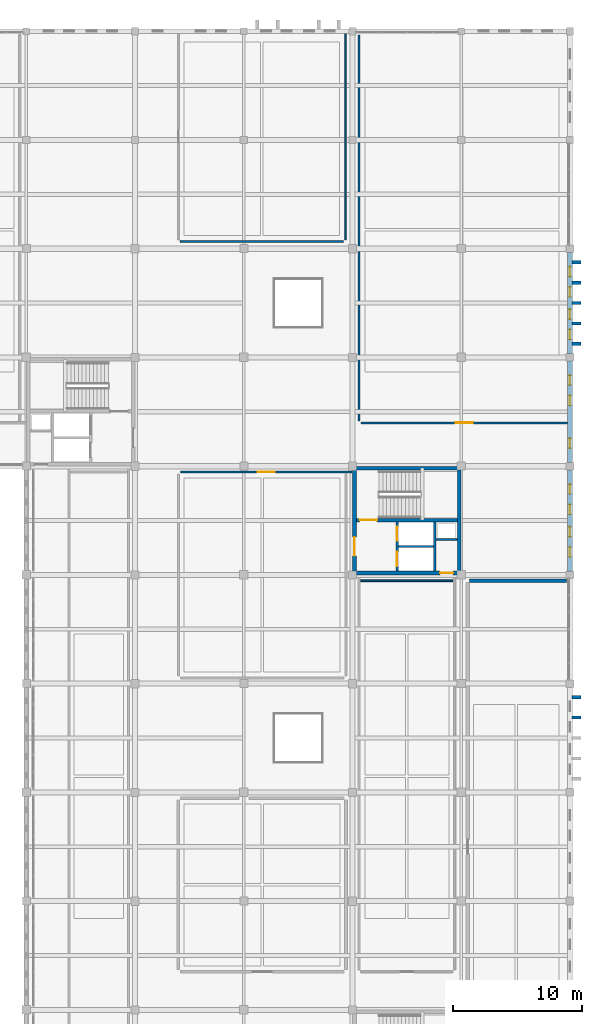
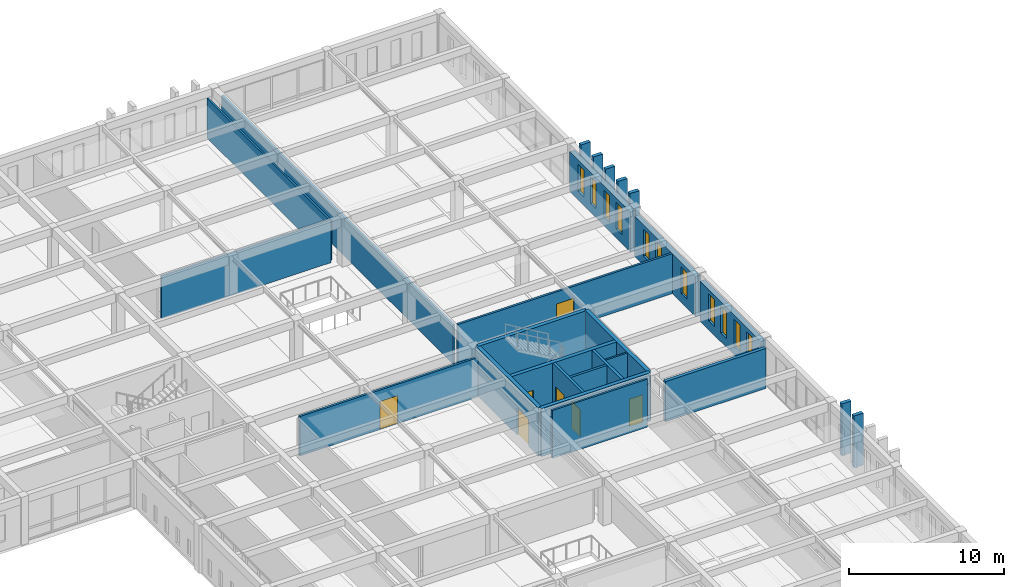
# One storey, part 38 of 47: 26 walls, 11 windows, 7 doors, 18 openings.
"""IFC4 building model written with IfcOpenShell, lengths in metres."""

import ifcopenshell
import ifcopenshell.guid

model = None  # the IFC model being written
_history = None  # IfcOwnerHistory: only IFC2X3 demands one
_inside = {}  # id of a spatial element -> (the spatial element, [elements in it])
_under = {}  # id of a project, library or spatial element -> (it, [spatial elements below it])
_declared = {}  # id of a project -> (the project, [libraries it declares])
_typed = {}  # id of a type object -> (the type object, [elements of that type])
_made_of = {}  # id of a material, layer set ... -> (it, [elements and type objects made of it])


def new_model(schema):
    """Start an empty IFC model of exactly this schema.

    Asked for "IFC4X3", IfcOpenShell would pick the latest addendum, in which some entities
    have other attributes; the version numbers below select the first issue.
    IFC2X3 requires an IfcOwnerHistory on every rooted entity: one is made here for all.
    """
    global model, _history
    if schema == "IFC4X3":
        model = ifcopenshell.file(schema_version=(4, 3, 0, 0))
    else:
        model = ifcopenshell.file(schema=schema)
    _inside.clear()
    _under.clear()
    _declared.clear()
    _typed.clear()
    _made_of.clear()
    _history = None
    if model.schema == "IFC2X3":
        org = make("IfcOrganization", Name="unknown")
        user = make(
            "IfcPersonAndOrganization",
            ThePerson=make("IfcPerson", FamilyName="unknown"),
            TheOrganization=org,
        )
        app = make(
            "IfcApplication",
            ApplicationDeveloper=org,
            Version="unknown",
            ApplicationFullName="unknown",
            ApplicationIdentifier="unknown",
        )
        _history = make(
            "IfcOwnerHistory",
            OwningUser=user,
            OwningApplication=app,
            ChangeAction="ADDED",
            CreationDate=0,
        )
    return model


def make(cls, **values):
    """One entity of the class cls with the attributes given. An attribute that is None is left unset."""
    return model.create_entity(
        cls, **{name: value for name, value in values.items() if value is not None}
    )


def rooted(cls, **values):
    """An entity with a GlobalId (a new one), such as an element, a storey or a relation."""
    return make(cls, GlobalId=ifcopenshell.guid.new(), OwnerHistory=_history, **values)


def si_unit(unit_type, name, prefix=None):
    """IfcSIUnit, for example si_unit("LENGTHUNIT", "METRE", prefix="MILLI")."""
    return make("IfcSIUnit", UnitType=unit_type, Prefix=prefix, Name=name)


def assignment(units):
    """IfcUnitAssignment: the units of a project."""
    return None if units is None else make("IfcUnitAssignment", Units=units)


def point(xyz):
    """IfcCartesianPoint."""
    return None if xyz is None else make("IfcCartesianPoint", Coordinates=xyz)


def direction(xyz):
    """IfcDirection."""
    return None if xyz is None else make("IfcDirection", DirectionRatios=xyz)


def frame(location, z_axis=None, x_axis=None):
    """IfcAxis2Placement3D, a coordinate frame: its origin and axes. An axis left out is left unset."""
    return make(
        "IfcAxis2Placement3D",
        Location=point(location),
        Axis=direction(z_axis),
        RefDirection=direction(x_axis),
    )


def frame_2d(location, x_axis=None):
    """IfcAxis2Placement2D, a coordinate frame in the plane: its origin and x axis."""
    return make(
        "IfcAxis2Placement2D", Location=point(location), RefDirection=direction(x_axis)
    )


def origin():
    """The frame at (0, 0, 0) with its axes left unset."""
    return frame((0.0, 0.0, 0.0))


def place(relative_to, where):
    """IfcLocalPlacement: puts the frame where relative to a parent placement (None: the world)."""
    return make(
        "IfcLocalPlacement", PlacementRelTo=relative_to, RelativePlacement=where
    )


def context(
    kind, dimensions, precision=None, world=None, true_north=None, identifier=None
):
    """IfcGeometricRepresentationContext, for example the 3D "Model" context."""
    return make(
        "IfcGeometricRepresentationContext",
        ContextIdentifier=identifier,
        ContextType=kind,
        CoordinateSpaceDimension=dimensions,
        Precision=precision,
        WorldCoordinateSystem=world,
        TrueNorth=true_north,
    )


def subcontext(parent, identifier, kind, view, scale=None):
    """IfcGeometricRepresentationSubContext, for example "Body" below "Model"."""
    return make(
        "IfcGeometricRepresentationSubContext",
        ContextIdentifier=identifier,
        ContextType=kind,
        ParentContext=parent,
        TargetScale=scale,
        TargetView=view,
    )


def project(units=None, contexts=None):
    """IfcProject with its units and contexts."""
    return rooted(
        "IfcProject",
        Name="project",
        RepresentationContexts=contexts,
        UnitsInContext=assignment(units),
    )


def spatial(cls, under=None, at=None, **own):
    """A site, building, storey or space (cls), placed at a placement, below another one or the project."""
    s = rooted(cls, ObjectPlacement=at, **own)
    if under is not None:
        _under.setdefault(under.id(), (under, []))[1].append(s)
    return s


def profile(cls, at=None, kind="AREA", **sizes):
    """A parametric profile (cls). Its sizes go by their IFC names, for example OverallWidth=200.0."""
    return make(cls, ProfileType=kind, Position=at, **sizes)


def rectangle(**sizes):
    """IfcRectangleProfileDef."""
    return profile("IfcRectangleProfileDef", **sizes)


def extrude(swept, where, along, depth):
    """IfcExtrudedAreaSolid: the profile swept, set in the frame where, extruded along a direction by depth."""
    return make(
        "IfcExtrudedAreaSolid",
        SweptArea=swept,
        Position=where,
        ExtrudedDirection=direction(along),
        Depth=depth,
    )


def shape(context_of_items, identifier, shape_type, items):
    """IfcShapeRepresentation: the items that make up one representation, for example the "Body"."""
    return make(
        "IfcShapeRepresentation",
        ContextOfItems=context_of_items,
        RepresentationIdentifier=identifier,
        RepresentationType=shape_type,
        Items=items,
    )


def material(Name=None, Category=None):
    """IfcMaterial."""
    return make("IfcMaterial", Name=Name, Category=Category)


def layer(
    of_material, thickness, ventilated=None, Name=None, Category=None, Priority=None
):
    """IfcMaterialLayer: one layer of a wall or slab, of a material (None: an air gap)."""
    return make(
        "IfcMaterialLayer",
        Material=of_material,
        LayerThickness=thickness,
        IsVentilated=ventilated,
        Name=Name,
        Category=Category,
        Priority=Priority,
    )


def layer_set(layers, Name=None):
    """IfcMaterialLayerSet."""
    return make("IfcMaterialLayerSet", MaterialLayers=layers, LayerSetName=Name)


def made_of(thing, what):
    """Note that an element or type object is made of a material, layer set ...; save() writes the relation."""
    if what is not None:
        _made_of.setdefault(what.id(), (what, []))[1].append(thing)
    return thing


def type_object(cls, material=None, **own):
    """A type object (cls), such as IfcWallType, which elements share."""
    return made_of(rooted(cls, **own), material)


def element(
    cls,
    number,
    at=None,
    inside=None,
    cuts=None,
    type_object=None,
    material=None,
    context=None,
    identifier="Body",
    shape_type=None,
    held_by="IfcProductDefinitionShape",
    body=None,
    shapes=None,
    **own,
):
    """One element of the class cls, such as IfcWall. Its Tag is "e" and its number.

    at: its placement. inside: the storey or other place that contains it. cuts: it is an
    opening in that element (IfcRelVoidsElement). A single representation is given by context,
    identifier, shape_type and body (its items); several are given by shapes. held_by: the class
    of the entity that holds the representations. save() writes the other relations.
    """
    e = rooted(cls, Tag="e%d" % number, ObjectPlacement=at, **own)
    if body is not None:
        shapes = [shape(context, identifier, shape_type, body)]
    if shapes is not None:
        e.Representation = make(held_by, Representations=shapes)
    if inside is not None:
        _inside.setdefault(inside.id(), (inside, []))[1].append(e)
    if cuts is not None:
        rooted(
            "IfcRelVoidsElement", RelatingBuildingElement=cuts, RelatedOpeningElement=e
        )
    if type_object is not None:
        _typed.setdefault(type_object.id(), (type_object, []))[1].append(e)
    return made_of(e, material)


def fill(opening, filler):
    """IfcRelFillsElement: the door or window that sits in an opening."""
    return rooted(
        "IfcRelFillsElement",
        RelatingOpeningElement=opening,
        RelatedBuildingElement=filler,
    )


def aggregate(whole, parts):
    """IfcRelAggregates: a whole, such as a stair, and the parts it consists of."""
    return rooted("IfcRelAggregates", RelatingObject=whole, RelatedObjects=parts)


def save(model, path):
    """Write the relations noted so far, then the file.

    IfcRelAggregates (storeys below a building ...), IfcRelContainedInSpatialStructure (elements
    in a storey), IfcRelDefinesByType, IfcRelAssociatesMaterial and IfcRelDeclares: one each for
    every whole, place, type object, material and project.
    """
    for whole, parts in _under.values():
        aggregate(whole, parts)
    for where, things in _inside.values():
        rooted(
            "IfcRelContainedInSpatialStructure",
            RelatedElements=things,
            RelatingStructure=where,
        )
    for kind, things in _typed.values():
        rooted("IfcRelDefinesByType", RelatedObjects=things, RelatingType=kind)
    for what, things in _made_of.values():
        rooted("IfcRelAssociatesMaterial", RelatedObjects=things, RelatingMaterial=what)
    for by, libraries in _declared.values():
        rooted("IfcRelDeclares", RelatingContext=by, RelatedDefinitions=libraries)
    model.write(path)


model = new_model("IFC4")

# Units and contexts
model_context = context("Model", 3, precision=1e-05, world=origin(), true_north=direction((0.0, 1.0)))
body_context = subcontext(model_context, "Body", "Model", "MODEL_VIEW")
ifc_project = project(units=[si_unit("LENGTHUNIT", "METRE"), si_unit("AREAUNIT", "SQUARE_METRE"), si_unit("VOLUMEUNIT", "CUBIC_METRE"), si_unit("PLANEANGLEUNIT", "RADIAN"), si_unit("MASSUNIT", "GRAM", prefix="KILO")], contexts=[model_context])

# Site, building, storey
site_placement = place(None, origin())
site = spatial("IfcSite", under=ifc_project, at=site_placement, CompositionType="ELEMENT")
building_placement = place(site_placement, origin())
building = spatial("IfcBuilding", under=site, at=building_placement, Name="Kveldsbrygga Polytechnic", CompositionType="ELEMENT")
storey_placement = place(building_placement, frame((0.0, 0.0, 13.93994140625)))
storey = spatial("IfcBuildingStorey", under=building, at=storey_placement, Name="L03", CompositionType="ELEMENT", Elevation=13.93994140625)

# Wall, openings, windows
ifc_material_1 = material(Name="Fired clay brick masonry M10", Category="masonry")
ifc_layer_1 = layer(ifc_material_1, 0.360107421875)
ifc_layer_set_1 = layer_set([ifc_layer_1], Name="Fired clay brick masonry M10")
wall_type_1 = type_object("IfcWallType", Name="EW-BRICK-360", PredefinedType="SOLIDWALL", material=ifc_layer_set_1)
wall_1_placement = place(storey_placement, frame((168.0, 75.875, 0.0), z_axis=(0.0, 0.0, 1.0), x_axis=(0.0, 1.0, 0.0)))
wall_1 = element("IfcWall", 1, at=wall_1_placement, inside=storey, type_object=wall_type_1, Name="Exterior Brick Wall EW-L03-Y-20-09", PredefinedType="SOLIDWALL", context=body_context, shape_type="SweptSolid", body=[
    extrude(rectangle(XDim=7.840087890625, YDim=0.360107421875, at=frame_2d((3.919921875, 0.0))), origin(), (0.0, 0.0, 1.0), 3.150146484375),
])
opening_1_placement = place(wall_1_placement, frame((1.114501953125, 0.0, 0.699951171875)))
opening_1 = element("IfcOpeningElement", 2, at=opening_1_placement, cuts=wall_1, Name="Opening W-27", PredefinedType="OPENING", context=body_context, shape_type="SweptSolid", body=[
    extrude(rectangle(XDim=0.75, YDim=2.10009765625, at=frame_2d((0.375, 1.050048828125))), frame((0.0, 0.18994140625, 0.0), z_axis=(0.0, -1.0, 0.0), x_axis=(1.0, 0.0, 0.0)), (0.0, 0.0, 1.0), 0.380126953125),
])
opening_2_placement = place(wall_1_placement, frame((2.6826171875, 0.0, 0.699951171875)))
opening_2 = element("IfcOpeningElement", 3, at=opening_2_placement, cuts=wall_1, Name="Opening W-27", PredefinedType="OPENING", context=body_context, shape_type="SweptSolid", body=[
    extrude(rectangle(XDim=0.75, YDim=2.10009765625, at=frame_2d((0.375, 1.050048828125))), frame((0.0, 0.18994140625, 0.0), z_axis=(0.0, -1.0, 0.0), x_axis=(1.0, 0.0, 0.0)), (0.0, 0.0, 1.0), 0.380126953125),
])
opening_3_placement = place(wall_1_placement, frame((4.407470703125, 0.0, 0.699951171875)))
opening_3 = element("IfcOpeningElement", 4, at=opening_3_placement, cuts=wall_1, Name="Opening W-27", PredefinedType="OPENING", context=body_context, shape_type="SweptSolid", body=[
    extrude(rectangle(XDim=0.75, YDim=2.10009765625, at=frame_2d((0.375, 1.050048828125))), frame((0.0, 0.18994140625, 0.0), z_axis=(0.0, -1.0, 0.0), x_axis=(1.0, 0.0, 0.0)), (0.0, 0.0, 1.0), 0.380126953125),
])
opening_4_placement = place(wall_1_placement, frame((5.975341796875, 0.0, 0.699951171875)))
opening_4 = element("IfcOpeningElement", 5, at=opening_4_placement, cuts=wall_1, Name="Opening W-27", PredefinedType="OPENING", context=body_context, shape_type="SweptSolid", body=[
    extrude(rectangle(XDim=0.75, YDim=2.10009765625, at=frame_2d((0.375, 1.050048828125))), frame((0.0, 0.18994140625, 0.0), z_axis=(0.0, -1.0, 0.0), x_axis=(1.0, 0.0, 0.0)), (0.0, 0.0, 1.0), 0.380126953125),
])
ifc_material_2 = material(Name="Insulated triple low-E glass", Category="glass")
window_type = type_object("IfcWindowType", Name="WN-ATTIC-075x210", PartitioningType="DOUBLE_PANEL_VERTICAL", PredefinedType="WINDOW", material=ifc_material_2)
window_1_placement = place(opening_1_placement, origin())
window_1 = element("IfcWindow", 6, at=window_1_placement, inside=storey, type_object=window_type, Name="Gothic Lancet Window WIN-L03-Y-20-09-1", OverallHeight=2.10009765625, OverallWidth=0.75, PartitioningType="DOUBLE_PANEL_VERTICAL", PredefinedType="WINDOW", context=body_context, shape_type="SweptSolid", body=[
    extrude(rectangle(XDim=0.75, YDim=2.10009765625, at=frame_2d((0.375, 1.050048828125))), frame((0.0, 0.030029296875, 0.0), z_axis=(0.0, -1.0, 0.0), x_axis=(1.0, 0.0, 0.0)), (0.0, 0.0, 1.0), 0.06005859375),
])
fill(opening_1, window_1)
window_2_placement = place(opening_2_placement, origin())
window_2 = element("IfcWindow", 7, at=window_2_placement, inside=storey, type_object=window_type, Name="Gothic Lancet Window WIN-L03-Y-20-09-2", OverallHeight=2.10009765625, OverallWidth=0.75, PartitioningType="DOUBLE_PANEL_VERTICAL", PredefinedType="WINDOW", context=body_context, shape_type="SweptSolid", body=[
    extrude(rectangle(XDim=0.75, YDim=2.10009765625, at=frame_2d((0.375, 1.050048828125))), frame((0.0, 0.030029296875, 0.0), z_axis=(0.0, -1.0, 0.0), x_axis=(1.0, 0.0, 0.0)), (0.0, 0.0, 1.0), 0.06005859375),
])
fill(opening_2, window_2)
window_3_placement = place(opening_3_placement, origin())
window_3 = element("IfcWindow", 8, at=window_3_placement, inside=storey, type_object=window_type, Name="Gothic Lancet Window WIN-L03-Y-20-09-3", OverallHeight=2.10009765625, OverallWidth=0.75, PartitioningType="DOUBLE_PANEL_VERTICAL", PredefinedType="WINDOW", context=body_context, shape_type="SweptSolid", body=[
    extrude(rectangle(XDim=0.75, YDim=2.10009765625, at=frame_2d((0.375, 1.050048828125))), frame((0.0, 0.030029296875, 0.0), z_axis=(0.0, -1.0, 0.0), x_axis=(1.0, 0.0, 0.0)), (0.0, 0.0, 1.0), 0.06005859375),
])
fill(opening_3, window_3)
window_4_placement = place(opening_4_placement, origin())
window_4 = element("IfcWindow", 9, at=window_4_placement, inside=storey, type_object=window_type, Name="Gothic Lancet Window WIN-L03-Y-20-09-4", OverallHeight=2.10009765625, OverallWidth=0.75, PartitioningType="DOUBLE_PANEL_VERTICAL", PredefinedType="WINDOW", context=body_context, shape_type="SweptSolid", body=[
    extrude(rectangle(XDim=0.75, YDim=2.10009765625, at=frame_2d((0.375, 1.050048828125))), frame((0.0, 0.030029296875, 0.0), z_axis=(0.0, -1.0, 0.0), x_axis=(1.0, 0.0, 0.0)), (0.0, 0.0, 1.0), 0.06005859375),
])
fill(opening_4, window_4)

wall_2_placement = place(storey_placement, frame((168.0, 84.284912109375, 0.0), z_axis=(0.0, 0.0, 1.0), x_axis=(0.0, 1.0, 0.0)))
wall_2 = element("IfcWall", 10, at=wall_2_placement, inside=storey, type_object=wall_type_1, Name="Exterior Brick Wall EW-L03-Y-20-10", PredefinedType="SOLIDWALL", context=body_context, shape_type="SweptSolid", body=[
    extrude(rectangle(XDim=7.840087890625, YDim=0.360107421875, at=frame_2d((3.919921875, 0.0))), origin(), (0.0, 0.0, 1.0), 3.150146484375),
])
opening_5_placement = place(wall_2_placement, frame((1.114501953125, 0.0, 0.699951171875)))
opening_5 = element("IfcOpeningElement", 11, at=opening_5_placement, cuts=wall_2, Name="Opening W-27", PredefinedType="OPENING", context=body_context, shape_type="SweptSolid", body=[
    extrude(rectangle(XDim=0.75, YDim=2.10009765625, at=frame_2d((0.375, 1.050048828125))), frame((0.0, 0.18994140625, 0.0), z_axis=(0.0, -1.0, 0.0), x_axis=(1.0, 0.0, 0.0)), (0.0, 0.0, 1.0), 0.380126953125),
])
opening_6_placement = place(wall_2_placement, frame((4.407470703125, 0.0, 0.699951171875)))
opening_6 = element("IfcOpeningElement", 12, at=opening_6_placement, cuts=wall_2, Name="Opening W-27", PredefinedType="OPENING", context=body_context, shape_type="SweptSolid", body=[
    extrude(rectangle(XDim=0.75, YDim=2.10009765625, at=frame_2d((0.375, 1.050048828125))), frame((0.0, 0.18994140625, 0.0), z_axis=(0.0, -1.0, 0.0), x_axis=(1.0, 0.0, 0.0)), (0.0, 0.0, 1.0), 0.380126953125),
])
opening_7_placement = place(wall_2_placement, frame((5.975341796875, 0.0, 0.699951171875)))
opening_7 = element("IfcOpeningElement", 13, at=opening_7_placement, cuts=wall_2, Name="Opening W-27", PredefinedType="OPENING", context=body_context, shape_type="SweptSolid", body=[
    extrude(rectangle(XDim=0.75, YDim=2.10009765625, at=frame_2d((0.375, 1.050048828125))), frame((0.0, 0.18994140625, 0.0), z_axis=(0.0, -1.0, 0.0), x_axis=(1.0, 0.0, 0.0)), (0.0, 0.0, 1.0), 0.380126953125),
])
window_5_placement = place(opening_5_placement, origin())
window_5 = element("IfcWindow", 14, at=window_5_placement, inside=storey, type_object=window_type, Name="Gothic Lancet Window WIN-L03-Y-20-10-1", OverallHeight=2.10009765625, OverallWidth=0.75, PartitioningType="DOUBLE_PANEL_VERTICAL", PredefinedType="WINDOW", context=body_context, shape_type="SweptSolid", body=[
    extrude(rectangle(XDim=0.75, YDim=2.10009765625, at=frame_2d((0.375, 1.050048828125))), frame((0.0, 0.030029296875, 0.0), z_axis=(0.0, -1.0, 0.0), x_axis=(1.0, 0.0, 0.0)), (0.0, 0.0, 1.0), 0.06005859375),
])
fill(opening_5, window_5)
window_6_placement = place(opening_6_placement, origin())
window_6 = element("IfcWindow", 15, at=window_6_placement, inside=storey, type_object=window_type, Name="Gothic Lancet Window WIN-L03-Y-20-10-3", OverallHeight=2.10009765625, OverallWidth=0.75, PartitioningType="DOUBLE_PANEL_VERTICAL", PredefinedType="WINDOW", context=body_context, shape_type="SweptSolid", body=[
    extrude(rectangle(XDim=0.75, YDim=2.10009765625, at=frame_2d((0.375, 1.050048828125))), frame((0.0, 0.030029296875, 0.0), z_axis=(0.0, -1.0, 0.0), x_axis=(1.0, 0.0, 0.0)), (0.0, 0.0, 1.0), 0.06005859375),
])
fill(opening_6, window_6)
window_7_placement = place(opening_7_placement, origin())
window_7 = element("IfcWindow", 16, at=window_7_placement, inside=storey, type_object=window_type, Name="Gothic Lancet Window WIN-L03-Y-20-10-4", OverallHeight=2.10009765625, OverallWidth=0.75, PartitioningType="DOUBLE_PANEL_VERTICAL", PredefinedType="WINDOW", context=body_context, shape_type="SweptSolid", body=[
    extrude(rectangle(XDim=0.75, YDim=2.10009765625, at=frame_2d((0.375, 1.050048828125))), frame((0.0, 0.030029296875, 0.0), z_axis=(0.0, -1.0, 0.0), x_axis=(1.0, 0.0, 0.0)), (0.0, 0.0, 1.0), 0.06005859375),
])
fill(opening_7, window_7)

wall_3_placement = place(storey_placement, frame((168.0, 92.675048828125, 0.0), z_axis=(0.0, 0.0, 1.0), x_axis=(0.0, 1.0, 0.0)))
wall_3 = element("IfcWall", 17, at=wall_3_placement, inside=storey, type_object=wall_type_1, Name="Exterior Brick Wall EW-L03-Y-20-11", PredefinedType="SOLIDWALL", context=body_context, shape_type="SweptSolid", body=[
    extrude(rectangle(XDim=7.83984375, YDim=0.360107421875, at=frame_2d((3.919921875, 0.0))), origin(), (0.0, 0.0, 1.0), 3.150146484375),
])
opening_8_placement = place(wall_3_placement, frame((1.114501953125, 0.0, 0.699951171875)))
opening_8 = element("IfcOpeningElement", 18, at=opening_8_placement, cuts=wall_3, Name="Opening W-27", PredefinedType="OPENING", context=body_context, shape_type="SweptSolid", body=[
    extrude(rectangle(XDim=0.75, YDim=2.10009765625, at=frame_2d((0.375, 1.050048828125))), frame((0.0, 0.18994140625, 0.0), z_axis=(0.0, -1.0, 0.0), x_axis=(1.0, 0.0, 0.0)), (0.0, 0.0, 1.0), 0.380126953125),
])
opening_9_placement = place(wall_3_placement, frame((2.6826171875, 0.0, 0.699951171875)))
opening_9 = element("IfcOpeningElement", 19, at=opening_9_placement, cuts=wall_3, Name="Opening W-27", PredefinedType="OPENING", context=body_context, shape_type="SweptSolid", body=[
    extrude(rectangle(XDim=0.75, YDim=2.10009765625, at=frame_2d((0.375, 1.050048828125))), frame((0.0, 0.18994140625, 0.0), z_axis=(0.0, -1.0, 0.0), x_axis=(1.0, 0.0, 0.0)), (0.0, 0.0, 1.0), 0.380126953125),
])
opening_10_placement = place(wall_3_placement, frame((4.407470703125, 0.0, 0.699951171875)))
opening_10 = element("IfcOpeningElement", 20, at=opening_10_placement, cuts=wall_3, Name="Opening W-27", PredefinedType="OPENING", context=body_context, shape_type="SweptSolid", body=[
    extrude(rectangle(XDim=0.75, YDim=2.10009765625, at=frame_2d((0.375, 1.050048828125))), frame((0.0, 0.18994140625, 0.0), z_axis=(0.0, -1.0, 0.0), x_axis=(1.0, 0.0, 0.0)), (0.0, 0.0, 1.0), 0.380126953125),
])
opening_11_placement = place(wall_3_placement, frame((5.975341796875, 0.0, 0.699951171875)))
opening_11 = element("IfcOpeningElement", 21, at=opening_11_placement, cuts=wall_3, Name="Opening W-27", PredefinedType="OPENING", context=body_context, shape_type="SweptSolid", body=[
    extrude(rectangle(XDim=0.75, YDim=2.10009765625, at=frame_2d((0.375, 1.050048828125))), frame((0.0, 0.18994140625, 0.0), z_axis=(0.0, -1.0, 0.0), x_axis=(1.0, 0.0, 0.0)), (0.0, 0.0, 1.0), 0.380126953125),
])
window_8_placement = place(opening_8_placement, origin())
window_8 = element("IfcWindow", 22, at=window_8_placement, inside=storey, type_object=window_type, Name="Gothic Lancet Window WIN-L03-Y-20-11-1", OverallHeight=2.10009765625, OverallWidth=0.75, PartitioningType="DOUBLE_PANEL_VERTICAL", PredefinedType="WINDOW", context=body_context, shape_type="SweptSolid", body=[
    extrude(rectangle(XDim=0.75, YDim=2.10009765625, at=frame_2d((0.375, 1.050048828125))), frame((0.0, 0.030029296875, 0.0), z_axis=(0.0, -1.0, 0.0), x_axis=(1.0, 0.0, 0.0)), (0.0, 0.0, 1.0), 0.06005859375),
])
fill(opening_8, window_8)
window_9_placement = place(opening_9_placement, origin())
window_9 = element("IfcWindow", 23, at=window_9_placement, inside=storey, type_object=window_type, Name="Gothic Lancet Window WIN-L03-Y-20-11-2", OverallHeight=2.10009765625, OverallWidth=0.75, PartitioningType="DOUBLE_PANEL_VERTICAL", PredefinedType="WINDOW", context=body_context, shape_type="SweptSolid", body=[
    extrude(rectangle(XDim=0.75, YDim=2.10009765625, at=frame_2d((0.375, 1.050048828125))), frame((0.0, 0.030029296875, 0.0), z_axis=(0.0, -1.0, 0.0), x_axis=(1.0, 0.0, 0.0)), (0.0, 0.0, 1.0), 0.06005859375),
])
fill(opening_9, window_9)
window_10_placement = place(opening_10_placement, origin())
window_10 = element("IfcWindow", 24, at=window_10_placement, inside=storey, type_object=window_type, Name="Gothic Lancet Window WIN-L03-Y-20-11-3", OverallHeight=2.10009765625, OverallWidth=0.75, PartitioningType="DOUBLE_PANEL_VERTICAL", PredefinedType="WINDOW", context=body_context, shape_type="SweptSolid", body=[
    extrude(rectangle(XDim=0.75, YDim=2.10009765625, at=frame_2d((0.375, 1.050048828125))), frame((0.0, 0.030029296875, 0.0), z_axis=(0.0, -1.0, 0.0), x_axis=(1.0, 0.0, 0.0)), (0.0, 0.0, 1.0), 0.06005859375),
])
fill(opening_10, window_10)
window_11_placement = place(opening_11_placement, origin())
window_11 = element("IfcWindow", 25, at=window_11_placement, inside=storey, type_object=window_type, Name="Gothic Lancet Window WIN-L03-Y-20-11-4", OverallHeight=2.10009765625, OverallWidth=0.75, PartitioningType="DOUBLE_PANEL_VERTICAL", PredefinedType="WINDOW", context=body_context, shape_type="SweptSolid", body=[
    extrude(rectangle(XDim=0.75, YDim=2.10009765625, at=frame_2d((0.375, 1.050048828125))), frame((0.0, 0.030029296875, 0.0), z_axis=(0.0, -1.0, 0.0), x_axis=(1.0, 0.0, 0.0)), (0.0, 0.0, 1.0), 0.06005859375),
])
fill(opening_11, window_11)

# Walls
ifc_layer_2 = layer(ifc_material_1, 0.260009765625)
ifc_layer_set_2 = layer_set([ifc_layer_2], Name="Fired clay brick masonry M10")
wall_type_2 = type_object("IfcWallType", Name="EW-BUTT-260", PredefinedType="SOLIDWALL", material=ifc_layer_set_2)
for number, where, z_axis, x_axis, name in (
    (26, (168.1650390625, 64.580078125, 0.0), (0.0, 0.0, 1.0), (1.0, 0.0, 0.0), "Gothic Brick Buttress Pier BUTT-L03-Y-20-07-4"),
    (27, (168.1650390625, 66.14990234375, 0.0), (0.0, 0.0, 1.0), (1.0, 0.0, 0.0), "Gothic Brick Buttress Pier BUTT-L03-Y-20-07-5"),
    (28, (168.1650390625, 93.449951171875, 0.0), (0.0, 0.0, 1.0), (1.0, 0.0, 0.0), "Gothic Brick Buttress Pier BUTT-L03-Y-20-11-1"),
    (29, (168.1650390625, 95.02001953125, 0.0), (0.0, 0.0, 1.0), (1.0, 0.0, 0.0), "Gothic Brick Buttress Pier BUTT-L03-Y-20-11-2"),
    (30, (168.1650390625, 96.60009765625, 0.0), (0.0, 0.0, 1.0), (1.0, 0.0, 0.0), "Gothic Brick Buttress Pier BUTT-L03-Y-20-11-3"),
    (31, (168.1650390625, 98.179931640625, 0.0), (0.0, 0.0, 1.0), (1.0, 0.0, 0.0), "Gothic Brick Buttress Pier BUTT-L03-Y-20-11-4"),
    (32, (168.1650390625, 99.75, 0.0), (0.0, 0.0, 1.0), (1.0, 0.0, 0.0), "Gothic Brick Buttress Pier BUTT-L03-Y-20-11-5"),
):
    element("IfcWall", number, at=place(storey_placement, frame(where, z_axis=z_axis, x_axis=x_axis)), inside=storey, type_object=wall_type_2, Name=name, PredefinedType="SOLIDWALL", context=body_context, shape_type="SweptSolid", body=[
        extrude(rectangle(XDim=0.699951171875, YDim=0.260009765625, at=frame_2d((0.35009765625, 0.0))), origin(), (0.0, 0.0, 1.0), 4.080078125),
    ])
ifc_layer_3 = layer(ifc_material_1, 0.239990234375)
ifc_layer_set_3 = layer_set([ifc_layer_3], Name="Fired clay brick masonry M10")
wall_type_3 = type_object("IfcWallType", Name="IW-COMP-240", PredefinedType="PARTITIONING", material=ifc_layer_set_3)
wall_4_placement = place(storey_placement, frame((160.25, 75.14990234375, 0.0), z_axis=(0.0, 0.0, 1.0), x_axis=(1.0, 0.0, 0.0)))
element("IfcWall", 33, at=wall_4_placement, inside=storey, type_object=wall_type_3, Name="Partition Wall IW-SP-L03-STK1-N1", PredefinedType="PARTITIONING", context=body_context, shape_type="SweptSolid", body=[
    extrude(rectangle(XDim=7.469970703125, YDim=0.239990234375, at=frame_2d((3.73486328125, 0.0))), origin(), (0.0, 0.0, 1.0), 3.150146484375),
])
ifc_material_3 = material(Name="Gypsum acoustic stud partition")
ifc_layer_4 = layer(ifc_material_3, 0.139892578125)
ifc_layer_set_4 = layer_set([ifc_layer_4], Name="Gypsum acoustic stud partition")
wall_type_4 = type_object("IfcWallType", Name="IW-OFF-140", PredefinedType="PARTITIONING", material=ifc_layer_set_4)
wall_5_placement = place(storey_placement, frame((151.85009765625, 75.14990234375, 0.0), z_axis=(0.0, 0.0, 1.0), x_axis=(1.0, 0.0, 0.0)))
element("IfcWall", 34, at=wall_5_placement, inside=storey, type_object=wall_type_4, Name="Partition Wall IW-SP-L03-OFF31-N1", PredefinedType="PARTITIONING", context=body_context, shape_type="SweptSolid", body=[
    extrude(rectangle(XDim=7.099853515625, YDim=0.139892578125, at=frame_2d((3.5498046875, 0.0))), origin(), (0.0, 0.0, 1.0), 3.780029296875),
])
ifc_material_4 = material(Name="Moisture-resistant masonry M10", Category="masonry")
ifc_layer_5 = layer(ifc_material_4, 0.1298828125)
ifc_layer_set_5 = layer_set([ifc_layer_5], Name="Moisture-resistant masonry M10")
wall_type_5 = type_object("IfcWallType", Name="IW-SAN-130", PredefinedType="PARTITIONING", material=ifc_layer_set_5)
wall_6_placement = place(storey_placement, frame((157.659912109375, 78.340087890625, 0.0), z_axis=(0.0, 0.0, 1.0), x_axis=(1.0, 0.0, 0.0)))
element("IfcWall", 35, at=wall_6_placement, inside=storey, type_object=wall_type_5, Name="Core AWC Divider C4-L03-W-RSR", PredefinedType="PARTITIONING", context=body_context, shape_type="SweptSolid", body=[
    extrude(rectangle(XDim=1.6201171875, YDim=0.1298828125, at=frame_2d((0.81005859375, 0.0))), origin(), (0.0, 0.0, 1.0), 3.780029296875),
])
wall_7_placement = place(storey_placement, frame((137.89990234375, 101.35009765625, 0.0), z_axis=(0.0, 0.0, 1.0), x_axis=(1.0, 0.0, 0.0)))
element("IfcWall", 36, at=wall_7_placement, inside=storey, type_object=wall_type_5, Name="Partition Wall IW-SP-L03-WC1-S1", PredefinedType="PARTITIONING", context=body_context, shape_type="SweptSolid", body=[
    extrude(rectangle(XDim=12.60009765625, YDim=0.1298828125, at=frame_2d((6.300048828125, 0.0))), origin(), (0.0, 0.0, 1.0), 3.35009765625),
])
wall_8_placement = place(storey_placement, frame((150.64990234375, 101.5, 0.0), z_axis=(0.0, 0.0, 1.0), x_axis=(0.0, 1.0, 0.0)))
element("IfcWall", 37, at=wall_8_placement, inside=storey, type_object=wall_type_5, Name="Partition Wall IW-SP-L03-WC1-E1", PredefinedType="PARTITIONING", context=body_context, shape_type="SweptSolid", body=[
    extrude(rectangle(XDim=15.919921875, YDim=0.1298828125, at=frame_2d((7.9599609375, 0.0))), origin(), (0.0, 0.0, 1.0), 3.130126953125),
])

# Wall, opening, door
ifc_layer_6 = layer(ifc_material_3, 0.159912109375)
ifc_layer_set_6 = layer_set([ifc_layer_6], Name="Gypsum acoustic stud partition")
wall_type_6 = type_object("IfcWallType", Name="IW-STD-160", PredefinedType="PARTITIONING", material=ifc_layer_set_6)
wall_9_placement = place(storey_placement, frame((151.85009765625, 87.35009765625, 0.0), z_axis=(0.0, 0.0, 1.0), x_axis=(1.0, 0.0, 0.0)))
wall_9 = element("IfcWall", 38, at=wall_9_placement, inside=storey, type_object=wall_type_6, Name="Partition Wall IW-SP-L03-STD31-S1", PredefinedType="PARTITIONING", context=body_context, shape_type="SweptSolid", body=[
    extrude(rectangle(XDim=15.969970703125, YDim=0.159912109375, at=frame_2d((7.98486328125, 0.0))), origin(), (0.0, 0.0, 1.0), 3.150146484375),
])
opening_12_placement = place(wall_9_placement, frame((7.3349609375, 0.0, 0.0)))
opening_12 = element("IfcOpeningElement", 39, at=opening_12_placement, cuts=wall_9, Name="Opening ID-L03-076", PredefinedType="OPENING", context=body_context, shape_type="SweptSolid", body=[
    extrude(rectangle(XDim=1.300048828125, YDim=2.199951171875, at=frame_2d((0.64990234375, 1.10009765625))), frame((0.0, 0.08984375, 0.0), z_axis=(0.0, -1.0, 0.0), x_axis=(1.0, 0.0, 0.0)), (0.0, 0.0, 1.0), 0.179931640625),
])
ifc_material_5 = material(Name="Acoustic oak timber", Category="wood")
door_type_1 = type_object("IfcDoorType", Name="ID-STD-130x220", OperationType="NOTDEFINED", PredefinedType="DOOR", material=ifc_material_5)
door_1_placement = place(opening_12_placement, origin())
door_1 = element("IfcDoor", 40, at=door_1_placement, inside=storey, type_object=door_type_1, Name="Interior Door ID-L03-076", OperationType="SINGLE_SWING_LEFT", OverallHeight=2.199951171875, OverallWidth=1.300048828125, PredefinedType="DOOR", context=body_context, shape_type="SweptSolid", body=[
    extrude(rectangle(XDim=1.300048828125, YDim=2.199951171875, at=frame_2d((0.64990234375, 1.10009765625))), frame((0.0, 0.02490234375, 0.0), z_axis=(0.0, -1.0, 0.0), x_axis=(1.0, 0.0, 0.0)), (0.0, 0.0, 1.0), 0.050048828125),
])
fill(opening_12, door_1)

# Wall
wall_10_placement = place(storey_placement, frame((151.699951171875, 87.5, 0.0), z_axis=(0.0, 0.0, 1.0), x_axis=(0.0, 1.0, 0.0)))
element("IfcWall", 41, at=wall_10_placement, inside=storey, type_object=wall_type_6, Name="Partition Wall IW-SP-L03-STD31-W1", PredefinedType="PARTITIONING", context=body_context, shape_type="SweptSolid", body=[
    extrude(rectangle(XDim=29.820068359375, YDim=0.159912109375, at=frame_2d((14.91015625, 0.0))), origin(), (0.0, 0.0, 1.0), 3.050048828125),
])

# Wall, opening, door
wall_11_placement = place(storey_placement, frame((137.89990234375, 83.550048828125, 0.0), z_axis=(0.0, 0.0, 1.0), x_axis=(1.0, 0.0, 0.0)))
wall_11 = element("IfcWall", 42, at=wall_11_placement, inside=storey, type_object=wall_type_6, Name="Partition Wall IW-SP-L03-STD32-N1", PredefinedType="PARTITIONING", context=body_context, shape_type="SweptSolid", body=[
    extrude(rectangle(XDim=13.27001953125, YDim=0.159912109375, at=frame_2d((6.635009765625, 0.0))), origin(), (0.0, 0.0, 1.0), 3.10009765625),
])
opening_13_placement = place(wall_11_placement, frame((5.985107421875, 0.0, 0.0)))
opening_13 = element("IfcOpeningElement", 43, at=opening_13_placement, cuts=wall_11, Name="Opening ID-L03-080", PredefinedType="OPENING", context=body_context, shape_type="SweptSolid", body=[
    extrude(rectangle(XDim=1.300048828125, YDim=2.199951171875, at=frame_2d((0.64990234375, 1.10009765625))), frame((0.0, 0.08984375, 0.0), z_axis=(0.0, -1.0, 0.0), x_axis=(1.0, 0.0, 0.0)), (0.0, 0.0, 1.0), 0.179931640625),
])
door_2_placement = place(opening_13_placement, origin())
door_2 = element("IfcDoor", 44, at=door_2_placement, inside=storey, type_object=door_type_1, Name="Interior Door ID-L03-080", OperationType="SINGLE_SWING_RIGHT", OverallHeight=2.199951171875, OverallWidth=1.300048828125, PredefinedType="DOOR", context=body_context, shape_type="SweptSolid", body=[
    extrude(rectangle(XDim=1.300048828125, YDim=2.199951171875, at=frame_2d((0.64990234375, 1.10009765625))), frame((0.0, 0.02490234375, 0.0), z_axis=(0.0, -1.0, 0.0), x_axis=(1.0, 0.0, 0.0)), (0.0, 0.0, 1.0), 0.050048828125),
])
fill(opening_13, door_2)

ifc_material_6 = material(Name="Concrete C45/55", Category="concrete")
ifc_layer_7 = layer(ifc_material_6, 0.280029296875)
ifc_layer_set_7 = layer_set([ifc_layer_7], Name="Concrete C45/55")
wall_type_7 = type_object("IfcWallType", Name="WL-CORE-280", PredefinedType="SHEAR", material=ifc_layer_set_7)
wall_12_placement = place(storey_placement, frame((151.35009765625, 75.75, 0.0), z_axis=(0.0, 0.0, 1.0), x_axis=(1.0, 0.0, 0.0)))
wall_12 = element("IfcWall", 45, at=wall_12_placement, inside=storey, type_object=wall_type_7, Name="Core C4 Shear Wall C4-L03-SW-S", PredefinedType="SHEAR", context=body_context, shape_type="SweptSolid", body=[
    extrude(rectangle(XDim=8.099853515625, YDim=0.280029296875, at=frame_2d((4.0498046875, 0.0))), origin(), (0.0, 0.0, 1.0), 3.780029296875),
])
opening_14_placement = place(wall_12_placement, frame((6.614990234375, 0.0, 0.0)))
opening_14 = element("IfcOpeningElement", 46, at=opening_14_placement, cuts=wall_12, Name="Opening ID-C4-L03-AWC", PredefinedType="OPENING", context=body_context, shape_type="SweptSolid", body=[
    extrude(rectangle(XDim=1.0, YDim=2.14990234375, at=frame_2d((0.5, 1.074951171875))), frame((0.0, 0.14990234375, 0.0), z_axis=(0.0, -1.0, 0.0), x_axis=(1.0, 0.0, 0.0)), (0.0, 0.0, 1.0), 0.300048828125),
])
door_type_2 = type_object("IfcDoorType", Name="ID-AWC-100x215", OperationType="NOTDEFINED", PredefinedType="DOOR", material=ifc_material_5)
door_3_placement = place(opening_14_placement, origin())
door_3 = element("IfcDoor", 47, at=door_3_placement, inside=storey, type_object=door_type_2, Name="Accessible WC Door ID-C4-L03-AWC", OperationType="SINGLE_SWING_RIGHT", OverallHeight=2.14990234375, OverallWidth=1.0, PredefinedType="DOOR", context=body_context, shape_type="SweptSolid", body=[
    extrude(rectangle(XDim=1.0, YDim=2.14990234375, at=frame_2d((0.5, 1.074951171875))), frame((0.0, 0.02490234375, 0.0), z_axis=(0.0, -1.0, 0.0), x_axis=(1.0, 0.0, 0.0)), (0.0, 0.0, 1.0), 0.050048828125),
])
fill(opening_14, door_3)

# Wall
wall_13_placement = place(storey_placement, frame((151.35009765625, 83.85009765625, 0.0), z_axis=(0.0, 0.0, 1.0), x_axis=(1.0, 0.0, 0.0)))
element("IfcWall", 48, at=wall_13_placement, inside=storey, type_object=wall_type_7, Name="Core C4 Shear Wall C4-L03-SW-N", PredefinedType="SHEAR", context=body_context, shape_type="SweptSolid", body=[
    extrude(rectangle(XDim=8.099853515625, YDim=0.280029296875, at=frame_2d((4.0498046875, 0.0))), origin(), (0.0, 0.0, 1.0), 3.780029296875),
])

# Wall, opening, door
wall_14_placement = place(storey_placement, frame((151.35009765625, 75.75, 0.0), z_axis=(0.0, 0.0, 1.0), x_axis=(0.0, 1.0, 0.0)))
wall_14 = element("IfcWall", 49, at=wall_14_placement, inside=storey, type_object=wall_type_7, Name="Core C4 Shear Wall C4-L03-SW-W", PredefinedType="SHEAR", context=body_context, shape_type="SweptSolid", body=[
    extrude(rectangle(XDim=8.10009765625, YDim=0.280029296875, at=frame_2d((4.050048828125, 0.0))), origin(), (0.0, 0.0, 1.0), 3.780029296875),
])
opening_15_placement = place(wall_14_placement, frame((1.324951171875, 0.0, 0.0)))
opening_15 = element("IfcOpeningElement", 50, at=opening_15_placement, cuts=wall_14, Name="Opening FD-C4-L03-LOB", PredefinedType="OPENING", context=body_context, shape_type="SweptSolid", body=[
    extrude(rectangle(XDim=1.449951171875, YDim=2.14990234375, at=frame_2d((0.72509765625, 1.074951171875))), frame((0.0, 0.14990234375, 0.0), z_axis=(0.0, -1.0, 0.0), x_axis=(1.0, 0.0, 0.0)), (0.0, 0.0, 1.0), 0.300048828125),
])
ifc_material_7 = material(Name="Powder-coated galvanised steel", Category="steel")
door_type_3 = type_object("IfcDoorType", Name="ID-LOBBY-145x215", OperationType="DOUBLE_DOOR_SINGLE_SWING", PredefinedType="DOOR", material=ifc_material_7)
door_4_placement = place(opening_15_placement, origin())
door_4 = element("IfcDoor", 51, at=door_4_placement, inside=storey, type_object=door_type_3, Name="Core Lobby Fire Door FD-C4-L03-LOB", OperationType="DOUBLE_DOOR_SINGLE_SWING", OverallHeight=2.14990234375, OverallWidth=1.449951171875, PredefinedType="DOOR", context=body_context, shape_type="SweptSolid", body=[
    extrude(rectangle(XDim=1.449951171875, YDim=2.14990234375, at=frame_2d((0.72509765625, 1.074951171875))), frame((0.0, 0.02490234375, 0.0), z_axis=(0.0, -1.0, 0.0), x_axis=(1.0, 0.0, 0.0)), (0.0, 0.0, 1.0), 0.050048828125),
])
fill(opening_15, door_4)

# Wall
wall_15_placement = place(storey_placement, frame((159.449951171875, 75.75, 0.0), z_axis=(0.0, 0.0, 1.0), x_axis=(0.0, 1.0, 0.0)))
element("IfcWall", 52, at=wall_15_placement, inside=storey, type_object=wall_type_7, Name="Core C4 Shear Wall C4-L03-SW-E", PredefinedType="SHEAR", context=body_context, shape_type="SweptSolid", body=[
    extrude(rectangle(XDim=8.10009765625, YDim=0.280029296875, at=frame_2d((4.050048828125, 0.0))), origin(), (0.0, 0.0, 1.0), 3.780029296875),
])

# Wall, opening, door
wall_16_placement = place(storey_placement, frame((151.5, 79.830078125, 0.0), z_axis=(0.0, 0.0, 1.0), x_axis=(1.0, 0.0, 0.0)))
wall_16 = element("IfcWall", 53, at=wall_16_placement, inside=storey, type_object=wall_type_7, Name="Core C4 Shear Wall C4-L03-W-DIV", PredefinedType="SHEAR", context=body_context, shape_type="SweptSolid", body=[
    extrude(rectangle(XDim=7.800048828125, YDim=0.280029296875, at=frame_2d((3.89990234375, 0.0))), origin(), (0.0, 0.0, 1.0), 3.780029296875),
])
opening_16_placement = place(wall_16_placement, frame((0.25, 0.0, 0.0)))
opening_16 = element("IfcOpeningElement", 54, at=opening_16_placement, cuts=wall_16, Name="Opening FD-C4-L03-ST", PredefinedType="OPENING", context=body_context, shape_type="SweptSolid", body=[
    extrude(rectangle(XDim=1.35009765625, YDim=2.14990234375, at=frame_2d((0.675048828125, 1.074951171875))), frame((0.0, 0.14990234375, 0.0), z_axis=(0.0, -1.0, 0.0), x_axis=(1.0, 0.0, 0.0)), (0.0, 0.0, 1.0), 0.300048828125),
])
door_type_4 = type_object("IfcDoorType", Name="ID-STAIR-135x215", OperationType="NOTDEFINED", PredefinedType="DOOR", material=ifc_material_7)
door_5_placement = place(opening_16_placement, origin())
door_5 = element("IfcDoor", 55, at=door_5_placement, inside=storey, type_object=door_type_4, Name="Stair Fire Door FD-C4-L03-ST", OperationType="SINGLE_SWING_LEFT", OverallHeight=2.14990234375, OverallWidth=1.35009765625, PredefinedType="DOOR", context=body_context, shape_type="SweptSolid", body=[
    extrude(rectangle(XDim=1.35009765625, YDim=2.14990234375, at=frame_2d((0.675048828125, 1.074951171875))), frame((0.0, 0.02490234375, 0.0), z_axis=(0.0, -1.0, 0.0), x_axis=(1.0, 0.0, 0.0)), (0.0, 0.0, 1.0), 0.050048828125),
])
fill(opening_16, door_5)

# Wall
ifc_material_8 = material(Name="Concrete C35/45", Category="concrete")
ifc_layer_8 = layer(ifc_material_8, 0.179931640625)
ifc_layer_set_8 = layer_set([ifc_layer_8], Name="Concrete C35/45")
wall_type_8 = type_object("IfcWallType", Name="WL-SHFT-180", PredefinedType="SHEAR", material=ifc_layer_set_8)
wall_17_placement = place(storey_placement, frame((154.75, 77.800048828125, 0.0), z_axis=(0.0, 0.0, 1.0), x_axis=(1.0, 0.0, 0.0)))
element("IfcWall", 56, at=wall_17_placement, inside=storey, type_object=wall_type_8, Name="Lift Divider Wall C4-L03-W-LMID", PredefinedType="SHEAR", context=body_context, shape_type="SweptSolid", body=[
    extrude(rectangle(XDim=2.699951171875, YDim=0.179931640625, at=frame_2d((1.35009765625, 0.0))), origin(), (0.0, 0.0, 1.0), 3.780029296875),
])

# Wall, openings, doors
ifc_layer_9 = layer(ifc_material_8, 0.199951171875)
ifc_layer_set_9 = layer_set([ifc_layer_9], Name="Concrete C35/45")
wall_type_9 = type_object("IfcWallType", Name="WL-SHFT-200", PredefinedType="SHEAR", material=ifc_layer_set_9)
wall_18_placement = place(storey_placement, frame((154.639892578125, 75.89990234375, 0.0), z_axis=(0.0, 0.0, 1.0), x_axis=(0.0, 1.0, 0.0)))
wall_18 = element("IfcWall", 57, at=wall_18_placement, inside=storey, type_object=wall_type_9, Name="Lift Front Wall C4-L03-W-LFR", PredefinedType="SHEAR", context=body_context, shape_type="SweptSolid", body=[
    extrude(rectangle(XDim=3.800048828125, YDim=0.199951171875, at=frame_2d((1.89990234375, 0.0))), origin(), (0.0, 0.0, 1.0), 3.780029296875),
])
opening_17_placement = place(wall_18_placement, frame((0.375, 0.0, 0.0)))
opening_17 = element("IfcOpeningElement", 58, at=opening_17_placement, cuts=wall_18, Name="Opening LD-FL-2", PredefinedType="OPENING", context=body_context, shape_type="SweptSolid", body=[
    extrude(rectangle(XDim=1.10009765625, YDim=2.14990234375, at=frame_2d((0.550048828125, 1.074951171875))), frame((0.0, 0.10986328125, 0.0), z_axis=(0.0, -1.0, 0.0), x_axis=(1.0, 0.0, 0.0)), (0.0, 0.0, 1.0), 0.219970703125),
])
opening_18_placement = place(wall_18_placement, frame((2.324951171875, 0.0, 0.0)))
opening_18 = element("IfcOpeningElement", 59, at=opening_18_placement, cuts=wall_18, Name="Opening LD-LP-4", PredefinedType="OPENING", context=body_context, shape_type="SweptSolid", body=[
    extrude(rectangle(XDim=1.10009765625, YDim=2.14990234375, at=frame_2d((0.550048828125, 1.074951171875))), frame((0.0, 0.10986328125, 0.0), z_axis=(0.0, -1.0, 0.0), x_axis=(1.0, 0.0, 0.0)), (0.0, 0.0, 1.0), 0.219970703125),
])
ifc_material_9 = material(Name="Brushed stainless steel EN 1.4401", Category="steel")
door_type_5 = type_object("IfcDoorType", Name="LD-PAX-110x215", OperationType="SLIDING_TO_LEFT", PredefinedType="DOOR", material=ifc_material_9)
door_6_placement = place(opening_17_placement, origin())
door_6 = element("IfcDoor", 60, at=door_6_placement, inside=storey, type_object=door_type_5, Name="Lift Landing Sliding Door LD-FL-2-L03", OperationType="SLIDING_TO_LEFT", OverallHeight=2.14990234375, OverallWidth=1.10009765625, PredefinedType="DOOR", context=body_context, shape_type="SweptSolid", body=[
    extrude(rectangle(XDim=1.10009765625, YDim=2.14990234375, at=frame_2d((0.550048828125, 1.074951171875))), frame((0.0, 0.02490234375, 0.0), z_axis=(0.0, -1.0, 0.0), x_axis=(1.0, 0.0, 0.0)), (0.0, 0.0, 1.0), 0.050048828125),
])
fill(opening_17, door_6)
door_7_placement = place(opening_18_placement, origin())
door_7 = element("IfcDoor", 61, at=door_7_placement, inside=storey, type_object=door_type_5, Name="Lift Landing Sliding Door LD-LP-4-L03", OperationType="SLIDING_TO_LEFT", OverallHeight=2.14990234375, OverallWidth=1.10009765625, PredefinedType="DOOR", context=body_context, shape_type="SweptSolid", body=[
    extrude(rectangle(XDim=1.10009765625, YDim=2.14990234375, at=frame_2d((0.550048828125, 1.074951171875))), frame((0.0, 0.02490234375, 0.0), z_axis=(0.0, -1.0, 0.0), x_axis=(1.0, 0.0, 0.0)), (0.0, 0.0, 1.0), 0.050048828125),
])
fill(opening_18, door_7)

# Wall
wall_19_placement = place(storey_placement, frame((157.56005859375, 75.89990234375, 0.0), z_axis=(0.0, 0.0, 1.0), x_axis=(0.0, 1.0, 0.0)))
element("IfcWall", 62, at=wall_19_placement, inside=storey, type_object=wall_type_9, Name="Lift Back Wall C4-L03-W-LBK", PredefinedType="SHEAR", context=body_context, shape_type="SweptSolid", body=[
    extrude(rectangle(XDim=3.800048828125, YDim=0.199951171875, at=frame_2d((1.89990234375, 0.0))), origin(), (0.0, 0.0, 1.0), 3.780029296875),
])

save(model, "model.ifc")
